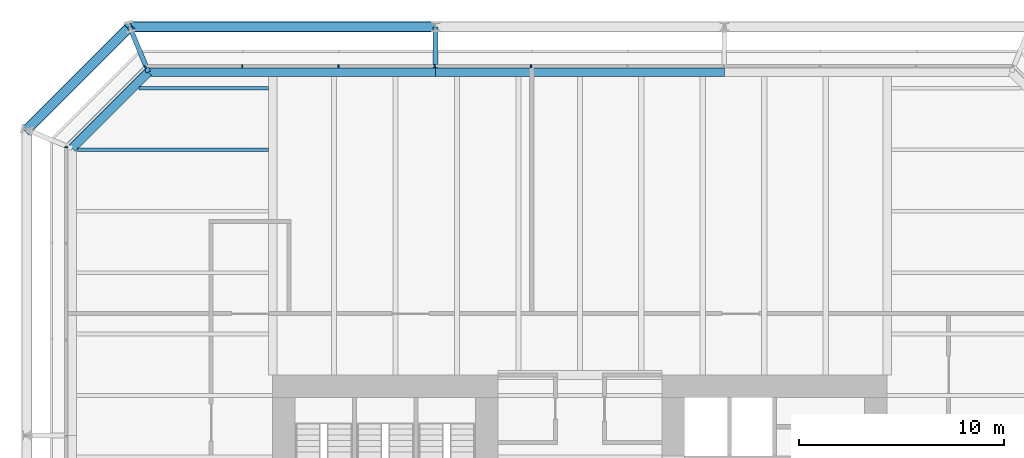
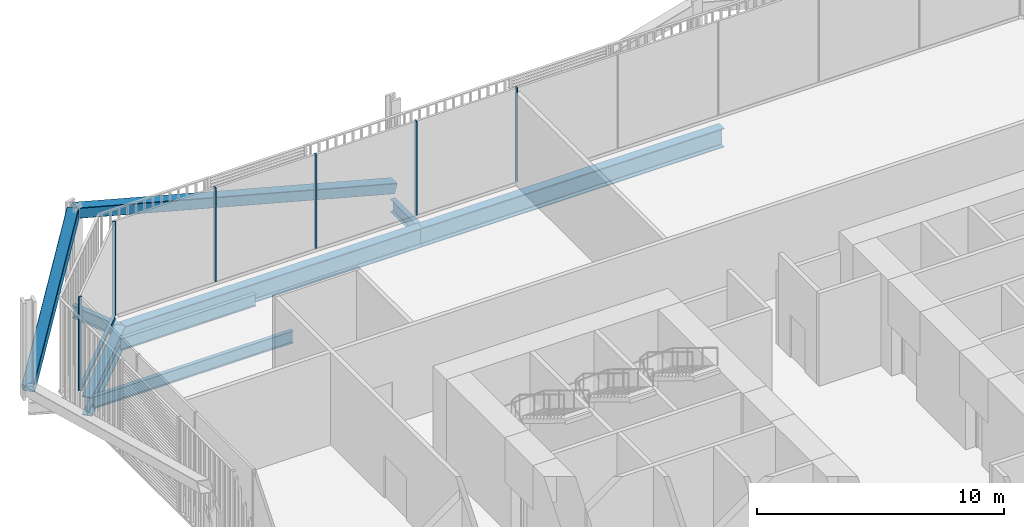
# One storey, part 14 of 22: 9 members, 7 beams, 3 elements without a shape of their own.
"""IFC4 building model written with IfcOpenShell, lengths in metres."""

from ifc_helpers import new_model, si_unit, direction, frame, origin, origin_2d, place, context, subcontext, project, spatial, rectangle, hollow_rectangle, i_section, extrude, material, layer, layer_set, material_profile, profile_set, type_object, element, aggregate, save


model = new_model("IFC4")

# Units and contexts
model_context = context("Model", 3, precision=1e-05, world=origin(), true_north=direction((0.0, 1.0)))
body_context = subcontext(model_context, "Body", "Model", "MODEL_VIEW")
ifc_project = project(units=[si_unit("LENGTHUNIT", "METRE"), si_unit("AREAUNIT", "SQUARE_METRE"), si_unit("VOLUMEUNIT", "CUBIC_METRE"), si_unit("PLANEANGLEUNIT", "RADIAN"), si_unit("MASSUNIT", "GRAM", prefix="KILO")], contexts=[model_context])

# Site, building, storey
site_placement = place(None, origin())
site = spatial("IfcSite", under=ifc_project, at=site_placement, CompositionType="ELEMENT")
building_placement = place(site_placement, origin())
building = spatial("IfcBuilding", under=site, at=building_placement, Name="Millrace Tower", CompositionType="ELEMENT")
storey_placement = place(building_placement, frame((0.0, 0.0, 30.5)))
storey = spatial("IfcBuildingStorey", under=building, at=storey_placement, Name="L07", CompositionType="ELEMENT", Elevation=30.5)

# Curtain wall, members
ifc_material_1 = material(Name="Aluminium and glass", Category="aluminium")
ifc_layer = layer(ifc_material_1, 0.14990234375)
ifc_layer_set = layer_set([ifc_layer], Name="Aluminium and glass")
curtain_wall_type = type_object("IfcCurtainWallType", Name="CW-2 data hall insulated curtain wall", PredefinedType="NOTDEFINED", material=ifc_layer_set)
placement = place(storey_placement, origin())
curtain_wall_1 = element("IfcCurtainWall", 1, at=placement, inside=storey, type_object=curtain_wall_type, Name="Curtain wall A-F06 L07", PredefinedType="NOTDEFINED")
ifc_material_2 = material(Name="Aluminium", Category="aluminium")
ifc_material_profile_1 = material_profile(ifc_material_2, rectangle(XDim=0.06494140625, YDim=0.14990234375, at=origin_2d()))
ifc_profile_set_1 = profile_set([ifc_material_profile_1], Name="Aluminium")
member_type_1 = type_object("IfcMemberType", Name="CW-2 data hall insulated curtain wall mullion", PredefinedType="MULLION", material=ifc_profile_set_1)
member_1_placement = place(storey_placement, frame((-2.382568359375, 25.074951171875, 0.159912109375), z_axis=(0.0, 0.0, 1.0), x_axis=(-1.0, 0.0, 0.0)))
member_1 = element("IfcMember", 2, at=member_1_placement, type_object=member_type_1, Name="CW2 mullion A-F06.6", PredefinedType="MULLION", context=body_context, shape_type="SweptSolid", body=[
    extrude(rectangle(XDim=0.06494140625, YDim=0.14990234375, at=origin_2d()), origin(), (0.0, 0.0, 1.0), 4.64013671875),
])
member_2_placement = place(storey_placement, frame((-7.08251953125, 25.074951171875, 0.159912109375), z_axis=(0.0, 0.0, 1.0), x_axis=(-1.0, 0.0, 0.0)))
member_2 = element("IfcMember", 3, at=member_2_placement, type_object=member_type_1, Name="CW2 mullion A-F06.7", PredefinedType="MULLION", context=body_context, shape_type="SweptSolid", body=[
    extrude(rectangle(XDim=0.06494140625, YDim=0.14990234375, at=origin_2d()), origin(), (0.0, 0.0, 1.0), 4.64013671875),
])
member_3_placement = place(storey_placement, frame((-11.782470703125, 25.074951171875, 0.159912109375), z_axis=(0.0, 0.0, 1.0), x_axis=(-1.0, 0.0, 0.0)))
member_3 = element("IfcMember", 4, at=member_3_placement, type_object=member_type_1, Name="CW2 mullion A-F06.8", PredefinedType="MULLION", context=body_context, shape_type="SweptSolid", body=[
    extrude(rectangle(XDim=0.06494140625, YDim=0.14990234375, at=origin_2d()), origin(), (0.0, 0.0, 1.0), 4.64013671875),
])
member_4_placement = place(storey_placement, frame((-16.482421875, 25.074951171875, 0.159912109375), z_axis=(0.0, 0.0, 1.0), x_axis=(-1.0, 0.0, 0.0)))
member_4 = element("IfcMember", 5, at=member_4_placement, type_object=member_type_1, Name="CW2 mullion A-F06.9", PredefinedType="MULLION", context=body_context, shape_type="SweptSolid", body=[
    extrude(rectangle(XDim=0.06494140625, YDim=0.14990234375, at=origin_2d()), origin(), (0.0, 0.0, 1.0), 4.64013671875),
])
aggregate(curtain_wall_1, [member_1, member_2, member_3, member_4])

# Curtain wall, member
curtain_wall_2 = element("IfcCurtainWall", 6, at=placement, inside=storey, type_object=curtain_wall_type, Name="Curtain wall A-F07 L07", PredefinedType="NOTDEFINED")
member_5_placement = place(storey_placement, frame((-21.22607421875, 25.030029296875, 0.159912109375), z_axis=(0.0, 0.0, 1.0), x_axis=(-0.707106781187, -0.707106781187, 0.0)))
member_5 = element("IfcMember", 7, at=member_5_placement, type_object=member_type_1, Name="CW2 mullion A-F07.1", PredefinedType="MULLION", context=body_context, shape_type="SweptSolid", body=[
    extrude(rectangle(XDim=0.06494140625, YDim=0.14990234375, at=origin_2d()), origin(), (0.0, 0.0, 1.0), 4.64013671875),
])

curtain_wall_3 = element("IfcCurtainWall", 8, at=placement, inside=storey, type_object=curtain_wall_type, Name="Curtain wall A-F08 L07", PredefinedType="NOTDEFINED")
member_6_placement = place(storey_placement, frame((-25.074951171875, 21.117431640625, 0.159912109375), z_axis=(0.0, 0.0, 1.0), x_axis=(0.0, -1.0, 0.0)))
member_6 = element("IfcMember", 9, at=member_6_placement, type_object=member_type_1, Name="CW2 mullion A-F08.1", PredefinedType="MULLION", context=body_context, shape_type="SweptSolid", body=[
    extrude(rectangle(XDim=0.06494140625, YDim=0.14990234375, at=origin_2d()), origin(), (0.0, 0.0, 1.0), 4.64013671875),
])
aggregate(curtain_wall_3, [member_6])

# Member
ifc_material_3 = material(Name="Aluminium", Category="aluminium")
ifc_material_profile_2 = material_profile(ifc_material_3, rectangle(XDim=0.14990234375, YDim=0.159912109375, at=origin_2d()))
ifc_profile_set_2 = profile_set([ifc_material_profile_2], Name="Aluminium")
member_type_2 = type_object("IfcMemberType", Name="CW-2 data hall insulated curtain wall transom", PredefinedType="USERDEFINED", material=ifc_profile_set_2)
member_7_placement = place(storey_placement, frame((-21.273681640625, 24.982421875, 0.080078125), z_axis=(-0.707106781187, -0.707106781187, 0.0), x_axis=(0.707106781187, -0.707106781187, 0.0)))
member_7 = element("IfcMember", 10, at=member_7_placement, type_object=member_type_2, Name="CW2 transom A-F07.1", ObjectType="TRANSOM", PredefinedType="USERDEFINED", context=body_context, shape_type="SweptSolid", body=[
    extrude(rectangle(XDim=0.14990234375, YDim=0.159912109375, at=origin_2d()), origin(), (0.0, 0.0, 1.0), 5.244873046875),
])

aggregate(curtain_wall_2, [member_5, member_7])

# Members
ifc_material_4 = material(Name="Steel ASTM A500 Grade C", Category="steel")
ifc_material_profile_3 = material_profile(ifc_material_4, hollow_rectangle(XDim=0.508056640625, YDim=0.508056640625, WallThickness=0.022216796875, InnerFilletRadius=0.01123046875, OuterFilletRadius=0.033447265625, at=origin_2d()))
ifc_profile_set_3 = profile_set([ifc_material_profile_3], Name="Steel ASTM A500 Grade C")
member_type_3 = type_object("IfcMemberType", Name="Exoskeleton brace HSS20x20x7/8", PredefinedType="BRACE", material=ifc_profile_set_3)
member_8_placement = place(storey_placement, frame((-7.050048828125, 27.0, 0.39990234375), z_axis=(-0.965926968663, 0.0, 0.258814781667), x_axis=(0.0, -1.0, 0.0)))
element("IfcMember", 11, at=member_8_placement, inside=storey, type_object=member_type_3, Name="BRC-A-L07-12", PredefinedType="BRACE", context=body_context, shape_type="SweptSolid", body=[
    extrude(hollow_rectangle(XDim=0.508056640625, YDim=0.508056640625, WallThickness=0.022216796875, InnerFilletRadius=0.01123046875, OuterFilletRadius=0.033447265625, at=origin_2d()), origin(), (0.0, 0.0, 1.0), 15.455078125),
])
member_9_placement = place(storey_placement, frame((-27.0, 21.978515625, 0.39990234375), z_axis=(0.616095438492, 0.616095438492, 0.490767583831), x_axis=(-0.707106781187, 0.707106781187, 0.0)))
element("IfcMember", 12, at=member_9_placement, inside=storey, type_object=member_type_3, Name="BRC-A-L07-13", PredefinedType="BRACE", context=body_context, shape_type="SweptSolid", body=[
    extrude(hollow_rectangle(XDim=0.508056640625, YDim=0.508056640625, WallThickness=0.022216796875, InnerFilletRadius=0.01123046875, OuterFilletRadius=0.033447265625, at=origin_2d()), origin(), (0.0, 0.0, 1.0), 8.150390625),
])

# Beams
ifc_material_5 = material(Name="Steel ASTM A992 Grade 50", Category="steel")
ifc_material_profile_4 = material_profile(ifc_material_5, i_section(OverallWidth=0.177978515625, OverallDepth=0.599365234375, WebThickness=0.010009765625, FlangeThickness=0.012939453125, FilletRadius=0.012939453125, at=origin_2d()))
ifc_profile_set_4 = profile_set([ifc_material_profile_4], Name="Steel ASTM A992 Grade 50")
beam_type_1 = type_object("IfcBeamType", Name="Floor beam W24x55", PredefinedType="JOIST", material=ifc_profile_set_4)
beam_1_placement = place(storey_placement, frame((-21.52978515625, 24.0, -0.524658203125), z_axis=(1.0, 0.0, 0.0), x_axis=(0.0, 1.0, 0.0)))
element("IfcBeam", 13, at=beam_1_placement, inside=storey, type_object=beam_type_1, Name="BM-A-L07-S1-S040", PredefinedType="JOIST", context=body_context, shape_type="SweptSolid", body=[
    extrude(i_section(OverallWidth=0.177978515625, OverallDepth=0.599365234375, WebThickness=0.010009765625, FlangeThickness=0.012939453125, FilletRadius=0.012939453125, at=origin_2d()), origin(), (0.0, 0.0, 1.0), 6.317626953125),
])
ifc_material_6 = material(Name="Steel ASTM A992 Grade 50", Category="steel")
ifc_material_profile_5 = material_profile(ifc_material_6, i_section(OverallWidth=0.1787109375, OverallDepth=0.60205078125, WebThickness=0.010986328125, FlangeThickness=0.014892578125, FilletRadius=0.0126953125, at=origin_2d()))
ifc_profile_set_5 = profile_set([ifc_material_profile_5], Name="Steel ASTM A992 Grade 50")
beam_type_2 = type_object("IfcBeamType", Name="Floor beam W24x62", PredefinedType="JOIST", material=ifc_profile_set_5)
beam_2_placement = place(storey_placement, frame((-24.52978515625, 21.0, -0.52587890625), z_axis=(1.0, 0.0, 0.0), x_axis=(0.0, 1.0, 0.0)))
element("IfcBeam", 14, at=beam_2_placement, inside=storey, type_object=beam_type_2, Name="BM-A-L07-S1-S038", PredefinedType="JOIST", context=body_context, shape_type="SweptSolid", body=[
    extrude(i_section(OverallWidth=0.1787109375, OverallDepth=0.60205078125, WebThickness=0.010986328125, FlangeThickness=0.014892578125, FilletRadius=0.0126953125, at=origin_2d()), origin(), (0.0, 0.0, 1.0), 9.317626953125),
])
ifc_material_7 = material(Name="Steel ASTM A992 Grade 50", Category="steel")
ifc_material_profile_6 = material_profile(ifc_material_7, i_section(OverallWidth=0.23046875, OverallDepth=0.6171875, WebThickness=0.01318359375, FlangeThickness=0.022216796875, FilletRadius=0.012939453125, at=origin_2d()))
ifc_profile_set_6 = profile_set([ifc_material_profile_6], Name="Steel ASTM A992 Grade 50")
beam_type_3 = type_object("IfcBeamType", Name="Link beam W24x94", PredefinedType="BEAM", material=ifc_profile_set_6)
beam_3_placement = place(storey_placement, frame((-21.062744140625, 24.7890625, -0.53369140625), z_axis=(-0.382673155247, 0.923883789366, 0.0), x_axis=(-0.923883789366, -0.382673155247, 0.0)))
element("IfcBeam", 15, at=beam_3_placement, inside=storey, type_object=beam_type_3, Name="LNK-A-L07-S1-05", PredefinedType="BEAM", context=body_context, shape_type="SweptSolid", body=[
    extrude(i_section(OverallWidth=0.23046875, OverallDepth=0.6171875, WebThickness=0.01318359375, FlangeThickness=0.022216796875, FilletRadius=0.012939453125, at=origin_2d()), origin(), (0.0, 0.0, 1.0), 2.39306640625),
])
beam_4_placement = place(storey_placement, frame((-7.050048828125, 25.0, -0.53369140625), z_axis=(0.0, 1.0, 0.0), x_axis=(-1.0, 0.0, 0.0)))
element("IfcBeam", 16, at=beam_4_placement, inside=storey, type_object=beam_type_3, Name="LNK-A-L07-S1-06", PredefinedType="BEAM", context=body_context, shape_type="SweptSolid", body=[
    extrude(i_section(OverallWidth=0.23046875, OverallDepth=0.6171875, WebThickness=0.01318359375, FlangeThickness=0.022216796875, FilletRadius=0.012939453125, at=origin_2d()), origin(), (0.0, 0.0, 1.0), 2.0),
])
ifc_material_8 = material(Name="Steel ASTM A992 Grade 50", Category="steel")
ifc_material_profile_7 = material_profile(ifc_material_8, i_section(OverallWidth=0.421630859375, OverallDepth=0.937255859375, WebThickness=0.021240234375, FlangeThickness=0.03662109375, FilletRadius=0.024169921875, at=origin_2d()))
ifc_profile_set_7 = profile_set([ifc_material_profile_7], Name="Steel ASTM A992 Grade 50")
beam_type_4 = type_object("IfcBeamType", Name="Ring beam medium span W36x262", PredefinedType="SPANDREL", material=ifc_profile_set_7)
beam_5_placement = place(storey_placement, frame((-21.062744140625, 24.7890625, -0.693603515625), z_axis=(1.0, 0.0, 0.0), x_axis=(0.0, 1.0, 0.0)))
element("IfcBeam", 17, at=beam_5_placement, inside=storey, type_object=beam_type_4, Name="RNG-A-L07-S1-05", PredefinedType="SPANDREL", context=body_context, shape_type="SweptSolid", body=[
    extrude(i_section(OverallWidth=0.421630859375, OverallDepth=0.937255859375, WebThickness=0.021240234375, FlangeThickness=0.03662109375, FilletRadius=0.024169921875, at=origin_2d()), origin(), (0.0, 0.0, 1.0), 14.0126953125),
])
beam_6_placement = place(storey_placement, frame((-7.050048828125, 24.7890625, -0.693603515625), z_axis=(1.0, 0.0, 0.0), x_axis=(0.0, 1.0, 0.0)))
element("IfcBeam", 18, at=beam_6_placement, inside=storey, type_object=beam_type_4, Name="RNG-A-L07-S1-06", PredefinedType="SPANDREL", context=body_context, shape_type="SweptSolid", body=[
    extrude(i_section(OverallWidth=0.421630859375, OverallDepth=0.937255859375, WebThickness=0.021240234375, FlangeThickness=0.03662109375, FilletRadius=0.024169921875, at=origin_2d()), origin(), (0.0, 0.0, 1.0), 14.10009765625),
])
ifc_material_9 = material(Name="Steel ASTM A992 Grade 50", Category="steel")
ifc_material_profile_8 = material_profile(ifc_material_9, i_section(OverallWidth=0.421630859375, OverallDepth=0.937255859375, WebThickness=0.021240234375, FlangeThickness=0.03662109375, FilletRadius=0.024169921875, at=origin_2d()))
ifc_profile_set_8 = profile_set([ifc_material_profile_8], Name="Steel ASTM A992 Grade 50")
beam_type_5 = type_object("IfcBeamType", Name="Ring beam short span W36x262", PredefinedType="SPANDREL", material=ifc_profile_set_8)
beam_7_placement = place(storey_placement, frame((-24.7890625, 21.062744140625, -0.693603515625), z_axis=(0.707106781187, 0.707106781187, 0.0), x_axis=(-0.707106781187, 0.707106781187, 0.0)))
element("IfcBeam", 19, at=beam_7_placement, inside=storey, type_object=beam_type_5, Name="RNG-A-L07-S1-04", PredefinedType="SPANDREL", context=body_context, shape_type="SweptSolid", body=[
    extrude(i_section(OverallWidth=0.421630859375, OverallDepth=0.937255859375, WebThickness=0.021240234375, FlangeThickness=0.03662109375, FilletRadius=0.024169921875, at=origin_2d()), origin(), (0.0, 0.0, 1.0), 5.269775390625),
])

save(model, "model.ifc")
